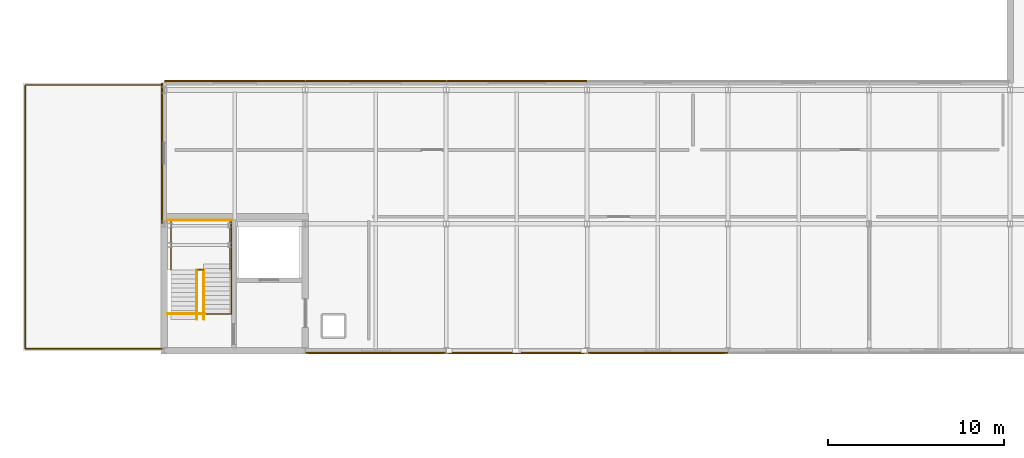
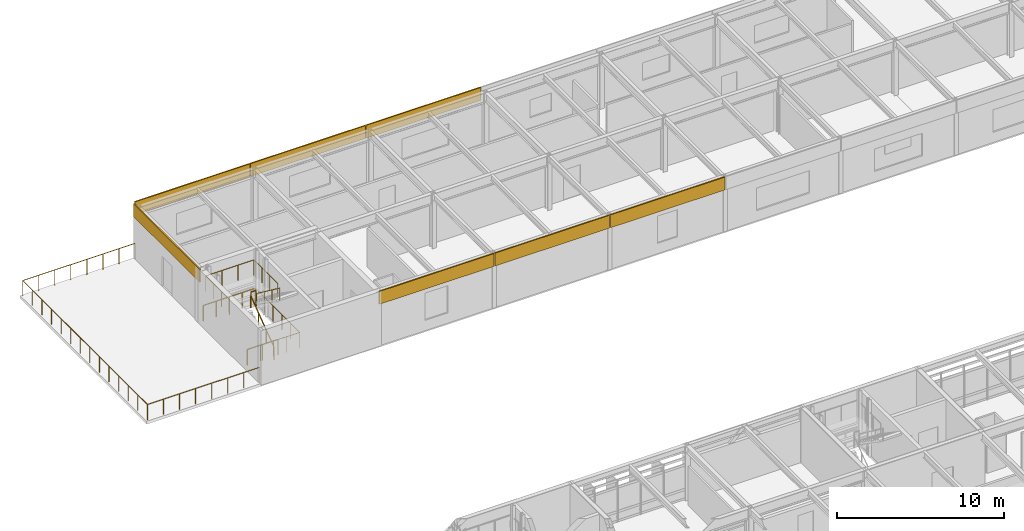
# One storey, part 32 of 33: 8 railings, 7 coverings.
"""IFC4 building model written with IfcOpenShell, lengths in metres."""

from ifc_helpers import new_model, si_unit, direction, frame, origin, origin_2d, place, context, subcontext, project, spatial, rectangle, circle, extrude, material, layer, layer_set, type_object, element, save


model = new_model("IFC4")

# Units and contexts
model_context = context("Model", 3, precision=1e-05, world=origin(), true_north=direction((0.0, 1.0)))
body_context = subcontext(model_context, "Body", "Model", "MODEL_VIEW")
ifc_project = project(units=[si_unit("LENGTHUNIT", "METRE"), si_unit("AREAUNIT", "SQUARE_METRE"), si_unit("VOLUMEUNIT", "CUBIC_METRE"), si_unit("PLANEANGLEUNIT", "RADIAN"), si_unit("MASSUNIT", "GRAM", prefix="KILO")], contexts=[model_context])

# Site, building, storey
site_placement = place(None, origin())
site = spatial("IfcSite", under=ifc_project, at=site_placement, CompositionType="ELEMENT")
building_placement = place(site_placement, origin())
building = spatial("IfcBuilding", under=site, at=building_placement, Name="Zulena Civic Courthouse", CompositionType="ELEMENT")
storey_placement = place(building_placement, frame((0.0, 0.0, 33.60009765625)))
storey = spatial("IfcBuildingStorey", under=building, at=storey_placement, Name="L07", CompositionType="ELEMENT", Elevation=33.60009765625)

# Railings
ifc_material_1 = material(Name="Brushed architectural steel ASTM A36", Category="steel")
railing_type_1 = type_object("IfcRailingType", Name="InteriorGuardrail_1150", PredefinedType="GUARDRAIL", material=ifc_material_1)
railing_1_placement = place(storey_placement, frame((20.199951171875, 53.409912109375, 0.0)))
element("IfcRailing", 1, at=railing_1_placement, inside=storey, type_object=railing_type_1, Name="gr:wellN:K5A:L06", PredefinedType="GUARDRAIL", context=body_context, shape_type="SweptSolid", body=[
    extrude(circle(Radius=0.02392578125, at=origin_2d()), frame((0.00390625, 0.0, 1.1259765625), z_axis=(1.0, 0.0, 0.0), x_axis=(0.0, 1.0, 0.0)), (0.0, 0.0, 1.0), 3.592041015625),
    extrude(circle(Radius=0.02099609375, at=origin_2d()), origin(), (0.0, 0.0, 1.0), 1.097900390625),
    extrude(circle(Radius=0.02099609375, at=origin_2d()), frame((0.89990234375, 0.0, 0.0)), (0.0, 0.0, 1.0), 1.097900390625),
    extrude(circle(Radius=0.02099609375, at=origin_2d()), frame((1.800048828125, 0.0, 0.0)), (0.0, 0.0, 1.0), 1.097900390625),
    extrude(circle(Radius=0.02099609375, at=origin_2d()), frame((2.7001953125, 0.0, 0.0)), (0.0, 0.0, 1.0), 1.097900390625),
    extrude(circle(Radius=0.02099609375, at=origin_2d()), frame((3.60009765625, 0.0, 0.0)), (0.0, 0.0, 1.0), 1.097900390625),
])
railing_2_placement = place(storey_placement, frame((23.800048828125, 53.419921875, 0.0)))
element("IfcRailing", 2, at=railing_2_placement, inside=storey, type_object=railing_type_1, Name="gr:topwell:K5A:L06", PredefinedType="GUARDRAIL", context=body_context, shape_type="SweptSolid", body=[
    extrude(circle(Radius=0.02392578125, at=origin_2d()), frame((0.0, -0.00390625, 1.1259765625), z_axis=(0.0, -1.0, 0.0), x_axis=(1.0, 0.0, 0.0)), (0.0, 0.0, 1.0), 5.331787109375),
    extrude(circle(Radius=0.02392578125, at=origin_2d()), frame((-0.00390625, -5.33984375, 1.1259765625), z_axis=(-1.0, 0.0, 0.0), x_axis=(0.0, -1.0, 0.0)), (0.0, 0.0, 1.0), 3.612060546875),
    extrude(circle(Radius=0.02099609375, at=origin_2d()), origin(), (0.0, 0.0, 1.0), 1.097900390625),
    extrude(circle(Radius=0.02099609375, at=origin_2d()), frame((0.0, -1.06787109375, 0.0)), (0.0, 0.0, 1.0), 1.097900390625),
    extrude(circle(Radius=0.02099609375, at=origin_2d()), frame((0.0, -2.135986328125, 0.0)), (0.0, 0.0, 1.0), 1.097900390625),
    extrude(circle(Radius=0.02099609375, at=origin_2d()), frame((0.0, -3.203857421875, 0.0)), (0.0, 0.0, 1.0), 1.097900390625),
    extrude(circle(Radius=0.02099609375, at=origin_2d()), frame((0.0, -4.27197265625, 0.0)), (0.0, 0.0, 1.0), 1.097900390625),
    extrude(circle(Radius=0.02099609375, at=origin_2d()), frame((0.0, -5.33984375, 0.0)), (0.0, 0.0, 1.0), 1.097900390625),
    extrude(circle(Radius=0.02099609375, at=origin_2d()), frame((-0.905029296875, -5.33984375, 0.0)), (0.0, 0.0, 1.0), 1.097900390625),
    extrude(circle(Radius=0.02099609375, at=origin_2d()), frame((-1.81005859375, -5.33984375, 0.0)), (0.0, 0.0, 1.0), 1.097900390625),
    extrude(circle(Radius=0.02099609375, at=origin_2d()), frame((-2.715087890625, -5.33984375, 0.0)), (0.0, 0.0, 1.0), 1.097900390625),
    extrude(circle(Radius=0.02099609375, at=origin_2d()), frame((-3.6201171875, -5.33984375, 0.0)), (0.0, 0.0, 1.0), 1.097900390625),
])
railing_3_placement = place(storey_placement, frame((20.179931640625, 48.10009765625, 0.0)))
element("IfcRailing", 3, at=railing_3_placement, inside=storey, type_object=railing_type_1, Name="gr:wells:K5A:L07", PredefinedType="GUARDRAIL", context=body_context, shape_type="SweptSolid", body=[
    extrude(circle(Radius=0.02392578125, at=origin_2d()), frame((0.00390625, 0.0, 1.1259765625), z_axis=(1.0, 0.0, 0.0), x_axis=(0.0, 1.0, 0.0)), (0.0, 0.0, 1.0), 2.112060546875),
    extrude(circle(Radius=0.02099609375, at=origin_2d()), origin(), (0.0, 0.0, 1.0), 1.097900390625),
    extrude(circle(Radius=0.02099609375, at=origin_2d()), frame((1.06005859375, 0.0, 0.0)), (0.0, 0.0, 1.0), 1.097900390625),
    extrude(circle(Radius=0.02099609375, at=origin_2d()), frame((2.1201171875, 0.0, 0.0)), (0.0, 0.0, 1.0), 1.097900390625),
])
railing_4_placement = place(storey_placement, frame((20.3798828125, 50.584716796875, 2.099853515625)))
element("IfcRailing", 4, at=railing_4_placement, inside=storey, type_object=railing_type_1, Name="gr:lnd:K5A:L07", PredefinedType="GUARDRAIL", context=body_context, shape_type="SweptSolid", body=[
    extrude(circle(Radius=0.02392578125, at=origin_2d()), frame((0.0, 0.00390625, 1.1259765625), z_axis=(0.0, 1.0, 0.0), x_axis=(-1.0, 0.0, 0.0)), (0.0, 0.0, 1.0), 2.8271484375),
    extrude(circle(Radius=0.02392578125, at=origin_2d()), frame((0.00390625, 2.835205078125, 1.1259765625), z_axis=(1.0, 0.0, 0.0), x_axis=(0.0, 1.0, 0.0)), (0.0, 0.0, 1.0), 3.33203125),
    extrude(circle(Radius=0.02392578125, at=origin_2d()), frame((3.340087890625, 2.831298828125, 1.1259765625), z_axis=(0.0, -1.0, 0.0), x_axis=(1.0, 0.0, 0.0)), (0.0, 0.0, 1.0), 2.8271484375),
    extrude(circle(Radius=0.02099609375, at=origin_2d()), origin(), (0.0, 0.0, 1.0), 1.097900390625),
    extrude(circle(Radius=0.02099609375, at=origin_2d()), frame((0.0, 0.945068359375, 0.0)), (0.0, 0.0, 1.0), 1.097900390625),
    extrude(circle(Radius=0.02099609375, at=origin_2d()), frame((0.0, 1.89013671875, 0.0)), (0.0, 0.0, 1.0), 1.097900390625),
    extrude(circle(Radius=0.02099609375, at=origin_2d()), frame((0.0, 2.835205078125, 0.0)), (0.0, 0.0, 1.0), 1.097900390625),
    extrude(circle(Radius=0.02099609375, at=origin_2d()), frame((1.11328125, 2.835205078125, 0.0)), (0.0, 0.0, 1.0), 1.097900390625),
    extrude(circle(Radius=0.02099609375, at=origin_2d()), frame((2.226806640625, 2.835205078125, 0.0)), (0.0, 0.0, 1.0), 1.097900390625),
    extrude(circle(Radius=0.02099609375, at=origin_2d()), frame((3.340087890625, 2.835205078125, 0.0)), (0.0, 0.0, 1.0), 1.097900390625),
    extrude(circle(Radius=0.02099609375, at=origin_2d()), frame((3.340087890625, 1.89013671875, 0.0)), (0.0, 0.0, 1.0), 1.097900390625),
    extrude(circle(Radius=0.02099609375, at=origin_2d()), frame((3.340087890625, 0.945068359375, 0.0)), (0.0, 0.0, 1.0), 1.097900390625),
    extrude(circle(Radius=0.02099609375, at=origin_2d()), frame((3.340087890625, 0.0, 0.0)), (0.0, 0.0, 1.0), 1.097900390625),
])
railing_5_placement = place(storey_placement, frame((21.8798828125, 50.60498046875, 2.099853515625)))
element("IfcRailing", 5, at=railing_5_placement, inside=storey, type_object=railing_type_1, Name="gr:lndslot:K5A:L07", PredefinedType="GUARDRAIL", context=body_context, shape_type="SweptSolid", body=[
    extrude(circle(Radius=0.02392578125, at=origin_2d()), frame((0.00390625, 0.0, 1.1259765625), z_axis=(1.0, 0.0, 0.0), x_axis=(0.0, 1.0, 0.0)), (0.0, 0.0, 1.0), 0.33203125),
    extrude(circle(Radius=0.02099609375, at=origin_2d()), origin(), (0.0, 0.0, 1.0), 1.097900390625),
    extrude(circle(Radius=0.02099609375, at=origin_2d()), frame((0.340087890625, 0.0, 0.0)), (0.0, 0.0, 1.0), 1.097900390625),
])

# Coverings
ifc_material_2 = material(Name="White architectural precast concrete C40/50", Category="concrete")
ifc_layer = layer(ifc_material_2, 0.0849609375)
ifc_layer_set = layer_set([ifc_layer], Name="White architectural precast concrete C40/50")
covering_type = type_object("IfcCoveringType", Name="PrecastSpandrelCladding_85", PredefinedType="CLADDING", material=ifc_layer_set)
for number, where, z_axis, x_axis, name in (
    (6, (19.8798828125, 57.199951171875, 3.059814453125), (0.0, 0.0, 1.0), (0.0, 1.0, 0.0), "clad:sp:V5:L07:0:1"),
    (7, (24.0, 61.320068359375, 3.059814453125), (0.0, 0.0, 1.0), (1.0, 0.0, 0.0), "clad:sp:V5:L07:1:0"),
    (8, (32.0, 61.320068359375, 3.059814453125), (0.0, 0.0, 1.0), (1.0, 0.0, 0.0), "clad:sp:V5:L07:1:1"),
    (9, (40.0, 61.320068359375, 3.059814453125), (0.0, 0.0, 1.0), (1.0, 0.0, 0.0), "clad:sp:V5:L07:1:2"),
    (10, (48.0, 45.8798828125, 3.059814453125), (0.0, 0.0, 1.0), (-1.0, 0.0, 0.0), "clad:sp:V5:L07:5:6"),
    (11, (40.0, 45.8798828125, 3.059814453125), (0.0, 0.0, 1.0), (-1.0, 0.0, 0.0), "clad:sp:V5:L07:5:7"),
    (12, (32.0, 45.8798828125, 3.059814453125), (0.0, 0.0, 1.0), (-1.0, 0.0, 0.0), "clad:sp:V5:L07:5:8"),
):
    element("IfcCovering", number, at=place(storey_placement, frame(where, z_axis=z_axis, x_axis=x_axis)), inside=storey, type_object=covering_type, Name=name, PredefinedType="CLADDING", context=body_context, shape_type="SweptSolid", body=[
        extrude(rectangle(XDim=7.9599609375, YDim=0.0849609375, at=origin_2d()), origin(), (0.0, 0.0, 1.0), 0.93994140625),
    ])

# Railings
railing_type_2 = type_object("IfcRailingType", Name="StairHandrail_920", PredefinedType="HANDRAIL", material=ifc_material_1)
railing_6_placement = place(storey_placement, frame((21.85009765625, 47.780029296875, 0.0)))
element("IfcRailing", 13, at=railing_6_placement, inside=storey, type_object=railing_type_2, Name="hr:K5A:L07:1", PredefinedType="HANDRAIL", context=body_context, shape_type="SweptSolid", body=[
    extrude(circle(Radius=0.02392578125, at=origin_2d()), frame((0.0, 0.003173828125, 0.898193359375), z_axis=(0.0, 0.800501427345, 0.599330847545), x_axis=(-1.0, 0.0, 0.0)), (0.0, 0.0, 1.0), 3.49560546875),
    extrude(circle(Radius=0.02099609375, at=origin_2d()), origin(), (0.0, 0.0, 1.0), 0.867919921875),
    extrude(circle(Radius=0.02099609375, at=origin_2d()), frame((0.0, 0.934814453125, 0.699951171875)), (0.0, 0.0, 1.0), 0.867919921875),
    extrude(circle(Radius=0.02099609375, at=origin_2d()), frame((0.0, 1.869873046875, 1.39990234375)), (0.0, 0.0, 1.0), 0.867919921875),
    extrude(circle(Radius=0.02099609375, at=origin_2d()), frame((0.0, 2.8046875, 2.099853515625)), (0.0, 0.0, 1.0), 0.867919921875),
])
railing_7_placement = place(storey_placement, frame((22.25, 50.584716796875, 2.099853515625)))
element("IfcRailing", 14, at=railing_7_placement, inside=storey, type_object=railing_type_2, Name="hr:K5A:L07:2", PredefinedType="HANDRAIL", context=body_context, shape_type="SweptSolid", body=[
    extrude(circle(Radius=0.02392578125, at=origin_2d()), frame((0.0, -0.003173828125, 0.898193359375), z_axis=(0.0, -0.800467996722, 0.599375496849), x_axis=(1.0, 0.0, 0.0)), (0.0, 0.0, 1.0), 3.495849609375),
    extrude(circle(Radius=0.02099609375, at=origin_2d()), origin(), (0.0, 0.0, 1.0), 0.867919921875),
    extrude(circle(Radius=0.02099609375, at=origin_2d()), frame((0.0, -0.934814453125, 0.699951171875)), (0.0, 0.0, 1.0), 0.867919921875),
    extrude(circle(Radius=0.02099609375, at=origin_2d()), frame((0.0, -1.869873046875, 1.400146484375)), (0.0, 0.0, 1.0), 0.867919921875),
    extrude(circle(Radius=0.02099609375, at=origin_2d()), frame((0.0, -2.8046875, 2.10009765625)), (0.0, 0.0, 1.0), 0.867919921875),
])
ifc_material_3 = material(Name="Bronze-painted architectural steel ASTM A36", Category="steel")
railing_type_3 = type_object("IfcRailingType", Name="TerraceBalustrade_1150", PredefinedType="BALUSTRADE", material=ifc_material_3)
railing_8_placement = place(storey_placement, frame((19.89990234375, 46.1201171875, 0.0)))
element("IfcRailing", 15, at=railing_8_placement, inside=storey, type_object=railing_type_3, Name="guard:terrace:TR-V5-L07:0", PredefinedType="BALUSTRADE", context=body_context, shape_type="SweptSolid", body=[
    extrude(circle(Radius=0.02392578125, at=origin_2d()), frame((-0.00390625, 0.0, 1.1259765625), z_axis=(-1.0, 0.0, 0.0), x_axis=(0.0, -1.0, 0.0)), (0.0, 0.0, 1.0), 7.771728515625),
    extrude(circle(Radius=0.02392578125, at=origin_2d()), frame((-7.77978515625, 0.00390625, 1.1259765625), z_axis=(0.0, 1.0, 0.0), x_axis=(-1.0, 0.0, 0.0)), (0.0, 0.0, 1.0), 14.951904296875),
    extrude(circle(Radius=0.02392578125, at=origin_2d()), frame((-7.77587890625, 14.9599609375, 1.1259765625), z_axis=(1.0, 0.0, 0.0), x_axis=(0.0, 1.0, 0.0)), (0.0, 0.0, 1.0), 7.771728515625),
    extrude(circle(Radius=0.02099609375, at=origin_2d()), origin(), (0.0, 0.0, 1.0), 1.097900390625),
    extrude(circle(Radius=0.02099609375, at=origin_2d()), frame((-1.111328125, 0.0, 0.0)), (0.0, 0.0, 1.0), 1.097900390625),
    extrude(circle(Radius=0.02099609375, at=origin_2d()), frame((-2.222900390625, 0.0, 0.0)), (0.0, 0.0, 1.0), 1.097900390625),
    extrude(circle(Radius=0.02099609375, at=origin_2d()), frame((-3.334228515625, 0.0, 0.0)), (0.0, 0.0, 1.0), 1.097900390625),
    extrude(circle(Radius=0.02099609375, at=origin_2d()), frame((-4.445556640625, 0.0, 0.0)), (0.0, 0.0, 1.0), 1.097900390625),
    extrude(circle(Radius=0.02099609375, at=origin_2d()), frame((-5.556884765625, 0.0, 0.0)), (0.0, 0.0, 1.0), 1.097900390625),
    extrude(circle(Radius=0.02099609375, at=origin_2d()), frame((-6.66845703125, 0.0, 0.0)), (0.0, 0.0, 1.0), 1.097900390625),
    extrude(circle(Radius=0.02099609375, at=origin_2d()), frame((-7.77978515625, 0.0, 0.0)), (0.0, 0.0, 1.0), 1.097900390625),
    extrude(circle(Radius=0.02099609375, at=origin_2d()), frame((-7.77978515625, 1.15087890625, 0.0)), (0.0, 0.0, 1.0), 1.097900390625),
    extrude(circle(Radius=0.02099609375, at=origin_2d()), frame((-7.77978515625, 2.301513671875, 0.0)), (0.0, 0.0, 1.0), 1.097900390625),
    extrude(circle(Radius=0.02099609375, at=origin_2d()), frame((-7.77978515625, 3.452392578125, 0.0)), (0.0, 0.0, 1.0), 1.097900390625),
    extrude(circle(Radius=0.02099609375, at=origin_2d()), frame((-7.77978515625, 4.60302734375, 0.0)), (0.0, 0.0, 1.0), 1.097900390625),
    extrude(circle(Radius=0.02099609375, at=origin_2d()), frame((-7.77978515625, 5.75390625, 0.0)), (0.0, 0.0, 1.0), 1.097900390625),
    extrude(circle(Radius=0.02099609375, at=origin_2d()), frame((-7.77978515625, 6.904541015625, 0.0)), (0.0, 0.0, 1.0), 1.097900390625),
    extrude(circle(Radius=0.02099609375, at=origin_2d()), frame((-7.77978515625, 8.055419921875, 0.0)), (0.0, 0.0, 1.0), 1.097900390625),
    extrude(circle(Radius=0.02099609375, at=origin_2d()), frame((-7.77978515625, 9.2060546875, 0.0)), (0.0, 0.0, 1.0), 1.097900390625),
    extrude(circle(Radius=0.02099609375, at=origin_2d()), frame((-7.77978515625, 10.35693359375, 0.0)), (0.0, 0.0, 1.0), 1.097900390625),
    extrude(circle(Radius=0.02099609375, at=origin_2d()), frame((-7.77978515625, 11.507568359375, 0.0)), (0.0, 0.0, 1.0), 1.097900390625),
    extrude(circle(Radius=0.02099609375, at=origin_2d()), frame((-7.77978515625, 12.658447265625, 0.0)), (0.0, 0.0, 1.0), 1.097900390625),
    extrude(circle(Radius=0.02099609375, at=origin_2d()), frame((-7.77978515625, 13.80908203125, 0.0)), (0.0, 0.0, 1.0), 1.097900390625),
    extrude(circle(Radius=0.02099609375, at=origin_2d()), frame((-7.77978515625, 14.9599609375, 0.0)), (0.0, 0.0, 1.0), 1.097900390625),
    extrude(circle(Radius=0.02099609375, at=origin_2d()), frame((-6.66845703125, 14.9599609375, 0.0)), (0.0, 0.0, 1.0), 1.097900390625),
    extrude(circle(Radius=0.02099609375, at=origin_2d()), frame((-5.556884765625, 14.9599609375, 0.0)), (0.0, 0.0, 1.0), 1.097900390625),
    extrude(circle(Radius=0.02099609375, at=origin_2d()), frame((-4.445556640625, 14.9599609375, 0.0)), (0.0, 0.0, 1.0), 1.097900390625),
    extrude(circle(Radius=0.02099609375, at=origin_2d()), frame((-3.334228515625, 14.9599609375, 0.0)), (0.0, 0.0, 1.0), 1.097900390625),
    extrude(circle(Radius=0.02099609375, at=origin_2d()), frame((-2.222900390625, 14.9599609375, 0.0)), (0.0, 0.0, 1.0), 1.097900390625),
    extrude(circle(Radius=0.02099609375, at=origin_2d()), frame((-1.111328125, 14.9599609375, 0.0)), (0.0, 0.0, 1.0), 1.097900390625),
    extrude(circle(Radius=0.02099609375, at=origin_2d()), frame((0.0, 14.9599609375, 0.0)), (0.0, 0.0, 1.0), 1.097900390625),
])

save(model, "model.ifc")
